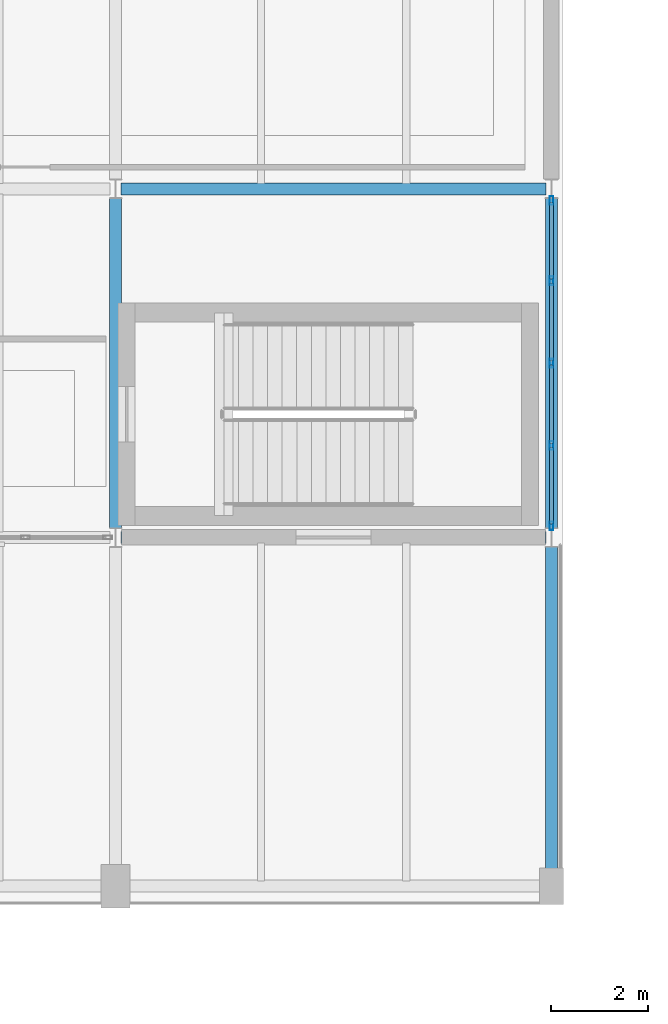
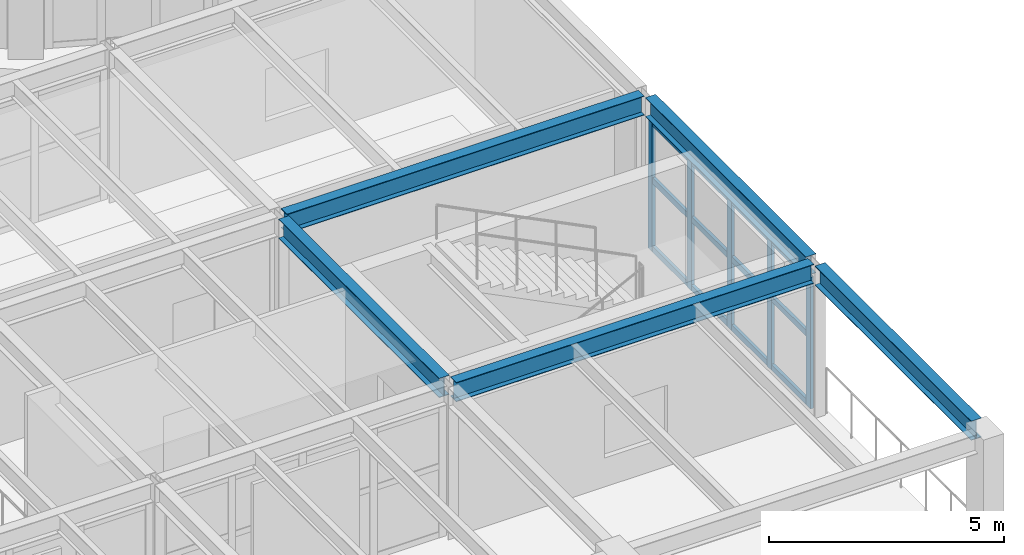
# One storey, part 23 of 59: 17 members, 5 beams, 1 element without a shape of its own.
"""IFC4 building model written with IfcOpenShell, lengths in metres."""

from ifc_helpers import new_model, si_unit, direction, frame, origin, origin_2d, place, context, subcontext, project, spatial, hollow_rectangle, i_section, extrude, material, layer, layer_set, material_profile, profile_set, type_object, element, aggregate, save


model = new_model("IFC4")

# Units and contexts
model_context = context("Model", 3, precision=1e-05, world=origin(), true_north=direction((0.0, 1.0)))
body_context = subcontext(model_context, "Body", "Model", "MODEL_VIEW")
ifc_project = project(units=[si_unit("LENGTHUNIT", "METRE"), si_unit("AREAUNIT", "SQUARE_METRE"), si_unit("VOLUMEUNIT", "CUBIC_METRE"), si_unit("PLANEANGLEUNIT", "RADIAN"), si_unit("MASSUNIT", "GRAM", prefix="KILO")], contexts=[model_context])

# Site, building, storey
site_placement = place(None, origin())
site = spatial("IfcSite", under=ifc_project, at=site_placement, CompositionType="ELEMENT")
building_placement = place(site_placement, origin())
building = spatial("IfcBuilding", under=site, at=building_placement, Name="Kandorven Conservatory and Botanical Research Centre", CompositionType="ELEMENT")
storey_placement = place(building_placement, frame((0.0, 0.0, 4.800048828125)))
storey = spatial("IfcBuildingStorey", under=building, at=storey_placement, Name="L01", CompositionType="ELEMENT", Elevation=4.800048828125)

# Beams
ifc_material_1 = material(Name="Steel S355 (IS 2062 E350)", Category="steel")
ifc_material_profile_1 = material_profile(ifc_material_1, i_section(OverallWidth=0.25, OverallDepth=0.5, WebThickness=0.010009765625, FlangeThickness=0.0146484375, at=origin_2d()))
ifc_profile_set_1 = profile_set([ifc_material_profile_1], Name="Steel S355 (IS 2062 E350)")
beam_type = type_object("IfcBeamType", Name="Beam_FG-02", PredefinedType="USERDEFINED", material=ifc_profile_set_1)
for number, where, z_axis, x_axis, name in (
    (1, (78.114990234375, 13.199951171875, 3.699951171875), (1.0, 0.0, 0.0), (0.0, 1.0, 0.0), "Primary girder FG-02 VIS L01"),
    (2, (78.114990234375, 20.39990234375, 3.699951171875), (1.0, 0.0, 0.0), (0.0, 1.0, 0.0), "Primary girder FG-02 VIS L01"),
):
    element("IfcBeam", number, at=place(storey_placement, frame(where, z_axis=z_axis, x_axis=x_axis)), inside=storey, type_object=beam_type, Name=name, ObjectType="GIRDER", PredefinedType="USERDEFINED", context=body_context, shape_type="SweptSolid", body=[
        extrude(i_section(OverallWidth=0.25, OverallDepth=0.5, WebThickness=0.010009765625, FlangeThickness=0.0146484375, at=origin_2d()), origin(), (0.0, 0.0, 1.0), 8.77001953125),
    ])
beam_1_placement = place(storey_placement, frame((78.0, 13.389892578125, 3.699951171875), z_axis=(0.0, 1.0, 0.0), x_axis=(-1.0, 0.0, 0.0)))
element("IfcBeam", 3, at=beam_1_placement, inside=storey, type_object=beam_type, Name="Primary girder FG-02 VIS L01", ObjectType="GIRDER", PredefinedType="USERDEFINED", context=body_context, shape_type="SweptSolid", body=[
    extrude(i_section(OverallWidth=0.25, OverallDepth=0.5, WebThickness=0.010009765625, FlangeThickness=0.0146484375, at=origin_2d()), origin(), (0.0, 0.0, 1.0), 6.820068359375),
])
beam_2_placement = place(storey_placement, frame((87.0, 6.364990234375, 3.699951171875), z_axis=(0.0, 1.0, 0.0), x_axis=(-1.0, 0.0, 0.0)))
element("IfcBeam", 4, at=beam_2_placement, inside=storey, type_object=beam_type, Name="Primary girder FG-02 VIS L01", ObjectType="GIRDER", PredefinedType="USERDEFINED", context=body_context, shape_type="SweptSolid", body=[
    extrude(i_section(OverallWidth=0.25, OverallDepth=0.5, WebThickness=0.010009765625, FlangeThickness=0.0146484375, at=origin_2d()), origin(), (0.0, 0.0, 1.0), 6.64501953125),
])
beam_3_placement = place(storey_placement, frame((87.0, 13.389892578125, 3.699951171875), z_axis=(0.0, 1.0, 0.0), x_axis=(-1.0, 0.0, 0.0)))
element("IfcBeam", 5, at=beam_3_placement, inside=storey, type_object=beam_type, Name="Primary girder FG-02 VIS L01", ObjectType="GIRDER", PredefinedType="USERDEFINED", context=body_context, shape_type="SweptSolid", body=[
    extrude(i_section(OverallWidth=0.25, OverallDepth=0.5, WebThickness=0.010009765625, FlangeThickness=0.0146484375, at=origin_2d()), origin(), (0.0, 0.0, 1.0), 6.820068359375),
])

# Curtain wall, members
ifc_material_2 = material(Name="Bronze anodised thermally broken aluminium", Category="aluminium")
ifc_layer = layer(ifc_material_2, 0.179931640625)
ifc_layer_set = layer_set([ifc_layer], Name="Bronze anodised thermally broken aluminium")
curtain_wall_type = type_object("IfcCurtainWallType", Name="CW_Unitised", PredefinedType="USERDEFINED", material=ifc_layer_set)
curtain_wall_placement = place(storey_placement, origin())
curtain_wall = element("IfcCurtainWall", 6, at=curtain_wall_placement, inside=storey, type_object=curtain_wall_type, Name="Visitor wing east curtain wall CW-VIS-E-L01-1", ObjectType="UNITISED GLAZING", PredefinedType="USERDEFINED")
ifc_material_3 = material(Name="Bronze anodised thermally broken aluminium", Category="aluminium")
ifc_material_profile_2 = material_profile(ifc_material_3, hollow_rectangle(XDim=0.080078125, YDim=0.179931640625, WallThickness=0.006103515625, at=origin_2d()))
ifc_profile_set_2 = profile_set([ifc_material_profile_2], Name="Bronze anodised thermally broken aluminium")
member_type_1 = type_object("IfcMemberType", Name="CW_Mullion", PredefinedType="MULLION", material=ifc_profile_set_2)
member_1_placement = place(storey_placement, frame((87.0, 13.43994140625, 0.0), z_axis=(0.0, 0.0, 1.0), x_axis=(-1.0, 0.0, 0.0)))
member_1 = element("IfcMember", 7, at=member_1_placement, type_object=member_type_1, Name="CW-01 mullion 1", PredefinedType="MULLION", context=body_context, shape_type="SweptSolid", body=[
    extrude(hollow_rectangle(XDim=0.080078125, YDim=0.179931640625, WallThickness=0.006103515625, at=origin_2d()), origin(), (0.0, 0.0, 1.0), 3.409912109375),
])
member_2_placement = place(storey_placement, frame((87.0, 15.10009765625, 0.0), z_axis=(0.0, 0.0, 1.0), x_axis=(-1.0, 0.0, 0.0)))
member_2 = element("IfcMember", 8, at=member_2_placement, type_object=member_type_1, Name="CW-01 mullion 2", PredefinedType="MULLION", context=body_context, shape_type="SweptSolid", body=[
    extrude(hollow_rectangle(XDim=0.080078125, YDim=0.179931640625, WallThickness=0.006103515625, at=origin_2d()), origin(), (0.0, 0.0, 1.0), 3.409912109375),
])
member_3_placement = place(storey_placement, frame((87.0, 16.800048828125, 0.0), z_axis=(0.0, 0.0, 1.0), x_axis=(-1.0, 0.0, 0.0)))
member_3 = element("IfcMember", 9, at=member_3_placement, type_object=member_type_1, Name="CW-01 mullion 3", PredefinedType="MULLION", context=body_context, shape_type="SweptSolid", body=[
    extrude(hollow_rectangle(XDim=0.080078125, YDim=0.179931640625, WallThickness=0.006103515625, at=origin_2d()), origin(), (0.0, 0.0, 1.0), 3.409912109375),
])
member_4_placement = place(storey_placement, frame((87.0, 18.5, 0.0), z_axis=(0.0, 0.0, 1.0), x_axis=(-1.0, 0.0, 0.0)))
member_4 = element("IfcMember", 10, at=member_4_placement, type_object=member_type_1, Name="CW-01 mullion 4", PredefinedType="MULLION", context=body_context, shape_type="SweptSolid", body=[
    extrude(hollow_rectangle(XDim=0.080078125, YDim=0.179931640625, WallThickness=0.006103515625, at=origin_2d()), origin(), (0.0, 0.0, 1.0), 3.409912109375),
])
member_5_placement = place(storey_placement, frame((87.0, 20.159912109375, 0.0), z_axis=(0.0, 0.0, 1.0), x_axis=(-1.0, 0.0, 0.0)))
member_5 = element("IfcMember", 11, at=member_5_placement, type_object=member_type_1, Name="CW-01 mullion 5", PredefinedType="MULLION", context=body_context, shape_type="SweptSolid", body=[
    extrude(hollow_rectangle(XDim=0.080078125, YDim=0.179931640625, WallThickness=0.006103515625, at=origin_2d()), origin(), (0.0, 0.0, 1.0), 3.409912109375),
])
ifc_material_4 = material(Name="Bronze anodised thermally broken aluminium", Category="aluminium")
ifc_material_profile_3 = material_profile(ifc_material_4, hollow_rectangle(XDim=0.074951171875, YDim=0.14990234375, WallThickness=0.006103515625, at=origin_2d()))
ifc_profile_set_3 = profile_set([ifc_material_profile_3], Name="Bronze anodised thermally broken aluminium")
member_type_2 = type_object("IfcMemberType", Name="CW_Transom", PredefinedType="USERDEFINED", material=ifc_profile_set_3)
member_6_placement = place(storey_placement, frame((87.0, 13.47998046875, 0.074951171875), z_axis=(0.0, 1.0, 0.0), x_axis=(-1.0, 0.0, 0.0)))
member_6 = element("IfcMember", 12, at=member_6_placement, type_object=member_type_2, Name="CW-01 transom 1.1", ObjectType="TRANSOM", PredefinedType="USERDEFINED", context=body_context, shape_type="SweptSolid", body=[
    extrude(hollow_rectangle(XDim=0.074951171875, YDim=0.14990234375, WallThickness=0.006103515625, at=origin_2d()), origin(), (0.0, 0.0, 1.0), 1.580078125),
])
member_7_placement = place(storey_placement, frame((87.0, 13.47998046875, 1.849853515625), z_axis=(0.0, 1.0, 0.0), x_axis=(-1.0, 0.0, 0.0)))
member_7 = element("IfcMember", 13, at=member_7_placement, type_object=member_type_2, Name="CW-01 transom 1.2", ObjectType="TRANSOM", PredefinedType="USERDEFINED", context=body_context, shape_type="SweptSolid", body=[
    extrude(hollow_rectangle(XDim=0.074951171875, YDim=0.14990234375, WallThickness=0.006103515625, at=origin_2d()), origin(), (0.0, 0.0, 1.0), 1.580078125),
])
member_8_placement = place(storey_placement, frame((87.0, 13.47998046875, 3.3349609375), z_axis=(0.0, 1.0, 0.0), x_axis=(-1.0, 0.0, 0.0)))
member_8 = element("IfcMember", 14, at=member_8_placement, type_object=member_type_2, Name="CW-01 transom 1.3", ObjectType="TRANSOM", PredefinedType="USERDEFINED", context=body_context, shape_type="SweptSolid", body=[
    extrude(hollow_rectangle(XDim=0.074951171875, YDim=0.14990234375, WallThickness=0.006103515625, at=origin_2d()), origin(), (0.0, 0.0, 1.0), 1.580078125),
])
member_9_placement = place(storey_placement, frame((87.0, 15.139892578125, 0.074951171875), z_axis=(0.0, 1.0, 0.0), x_axis=(-1.0, 0.0, 0.0)))
member_9 = element("IfcMember", 15, at=member_9_placement, type_object=member_type_2, Name="CW-01 transom 2.1", ObjectType="TRANSOM", PredefinedType="USERDEFINED", context=body_context, shape_type="SweptSolid", body=[
    extrude(hollow_rectangle(XDim=0.074951171875, YDim=0.14990234375, WallThickness=0.006103515625, at=origin_2d()), origin(), (0.0, 0.0, 1.0), 1.6201171875),
])
member_10_placement = place(storey_placement, frame((87.0, 15.139892578125, 1.849853515625), z_axis=(0.0, 1.0, 0.0), x_axis=(-1.0, 0.0, 0.0)))
member_10 = element("IfcMember", 16, at=member_10_placement, type_object=member_type_2, Name="CW-01 transom 2.2", ObjectType="TRANSOM", PredefinedType="USERDEFINED", context=body_context, shape_type="SweptSolid", body=[
    extrude(hollow_rectangle(XDim=0.074951171875, YDim=0.14990234375, WallThickness=0.006103515625, at=origin_2d()), origin(), (0.0, 0.0, 1.0), 1.6201171875),
])
member_11_placement = place(storey_placement, frame((87.0, 15.139892578125, 3.3349609375), z_axis=(0.0, 1.0, 0.0), x_axis=(-1.0, 0.0, 0.0)))
member_11 = element("IfcMember", 17, at=member_11_placement, type_object=member_type_2, Name="CW-01 transom 2.3", ObjectType="TRANSOM", PredefinedType="USERDEFINED", context=body_context, shape_type="SweptSolid", body=[
    extrude(hollow_rectangle(XDim=0.074951171875, YDim=0.14990234375, WallThickness=0.006103515625, at=origin_2d()), origin(), (0.0, 0.0, 1.0), 1.6201171875),
])
member_12_placement = place(storey_placement, frame((87.0, 16.840087890625, 0.074951171875), z_axis=(0.0, 1.0, 0.0), x_axis=(-1.0, 0.0, 0.0)))
member_12 = element("IfcMember", 18, at=member_12_placement, type_object=member_type_2, Name="CW-01 transom 3.1", ObjectType="TRANSOM", PredefinedType="USERDEFINED", context=body_context, shape_type="SweptSolid", body=[
    extrude(hollow_rectangle(XDim=0.074951171875, YDim=0.14990234375, WallThickness=0.006103515625, at=origin_2d()), origin(), (0.0, 0.0, 1.0), 1.619873046875),
])
member_13_placement = place(storey_placement, frame((87.0, 16.840087890625, 1.849853515625), z_axis=(0.0, 1.0, 0.0), x_axis=(-1.0, 0.0, 0.0)))
member_13 = element("IfcMember", 19, at=member_13_placement, type_object=member_type_2, Name="CW-01 transom 3.2", ObjectType="TRANSOM", PredefinedType="USERDEFINED", context=body_context, shape_type="SweptSolid", body=[
    extrude(hollow_rectangle(XDim=0.074951171875, YDim=0.14990234375, WallThickness=0.006103515625, at=origin_2d()), origin(), (0.0, 0.0, 1.0), 1.619873046875),
])
member_14_placement = place(storey_placement, frame((87.0, 16.840087890625, 3.3349609375), z_axis=(0.0, 1.0, 0.0), x_axis=(-1.0, 0.0, 0.0)))
member_14 = element("IfcMember", 20, at=member_14_placement, type_object=member_type_2, Name="CW-01 transom 3.3", ObjectType="TRANSOM", PredefinedType="USERDEFINED", context=body_context, shape_type="SweptSolid", body=[
    extrude(hollow_rectangle(XDim=0.074951171875, YDim=0.14990234375, WallThickness=0.006103515625, at=origin_2d()), origin(), (0.0, 0.0, 1.0), 1.619873046875),
])
member_15_placement = place(storey_placement, frame((87.0, 18.5400390625, 0.074951171875), z_axis=(0.0, 1.0, 0.0), x_axis=(-1.0, 0.0, 0.0)))
member_15 = element("IfcMember", 21, at=member_15_placement, type_object=member_type_2, Name="CW-01 transom 4.1", ObjectType="TRANSOM", PredefinedType="USERDEFINED", context=body_context, shape_type="SweptSolid", body=[
    extrude(hollow_rectangle(XDim=0.074951171875, YDim=0.14990234375, WallThickness=0.006103515625, at=origin_2d()), origin(), (0.0, 0.0, 1.0), 1.580078125),
])
member_16_placement = place(storey_placement, frame((87.0, 18.5400390625, 1.849853515625), z_axis=(0.0, 1.0, 0.0), x_axis=(-1.0, 0.0, 0.0)))
member_16 = element("IfcMember", 22, at=member_16_placement, type_object=member_type_2, Name="CW-01 transom 4.2", ObjectType="TRANSOM", PredefinedType="USERDEFINED", context=body_context, shape_type="SweptSolid", body=[
    extrude(hollow_rectangle(XDim=0.074951171875, YDim=0.14990234375, WallThickness=0.006103515625, at=origin_2d()), origin(), (0.0, 0.0, 1.0), 1.580078125),
])
member_17_placement = place(storey_placement, frame((87.0, 18.5400390625, 3.3349609375), z_axis=(0.0, 1.0, 0.0), x_axis=(-1.0, 0.0, 0.0)))
member_17 = element("IfcMember", 23, at=member_17_placement, type_object=member_type_2, Name="CW-01 transom 4.3", ObjectType="TRANSOM", PredefinedType="USERDEFINED", context=body_context, shape_type="SweptSolid", body=[
    extrude(hollow_rectangle(XDim=0.074951171875, YDim=0.14990234375, WallThickness=0.006103515625, at=origin_2d()), origin(), (0.0, 0.0, 1.0), 1.580078125),
])
aggregate(curtain_wall, [member_1, member_2, member_3, member_4, member_5, member_6, member_7, member_8, member_9, member_10, member_11, member_12, member_13, member_14, member_15, member_16, member_17])

save(model, "model.ifc")
